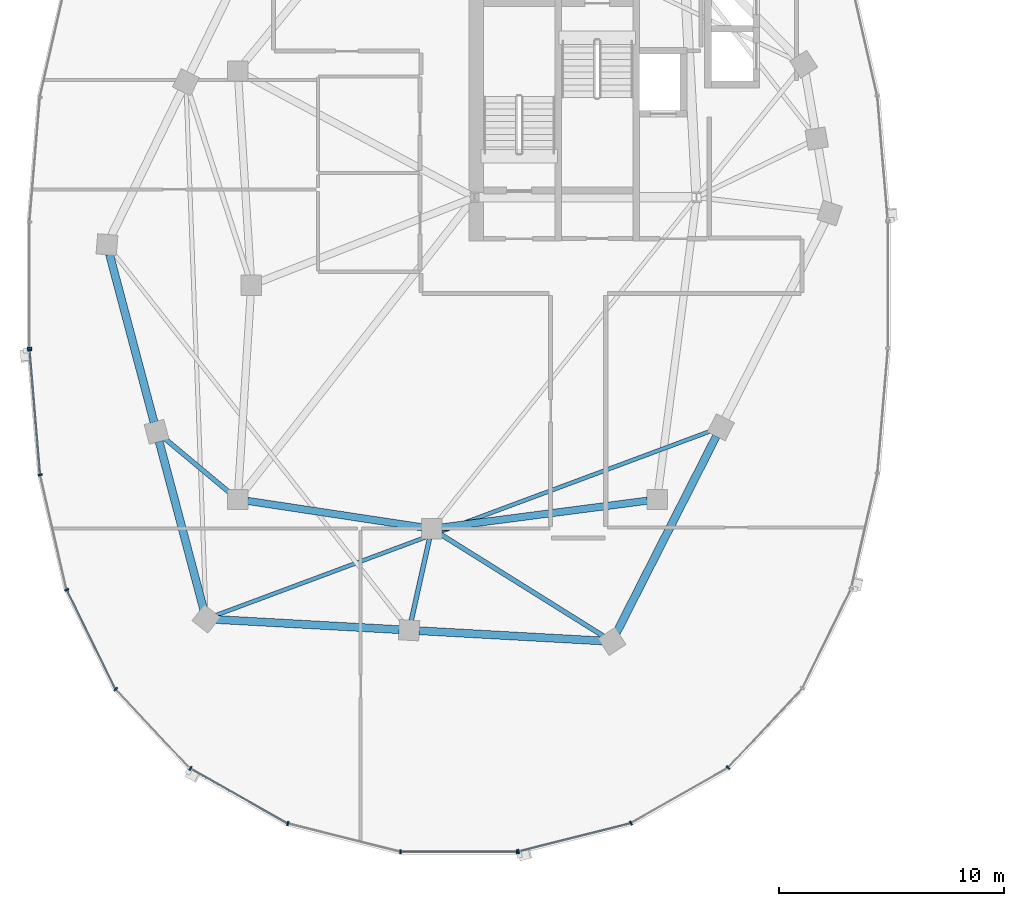
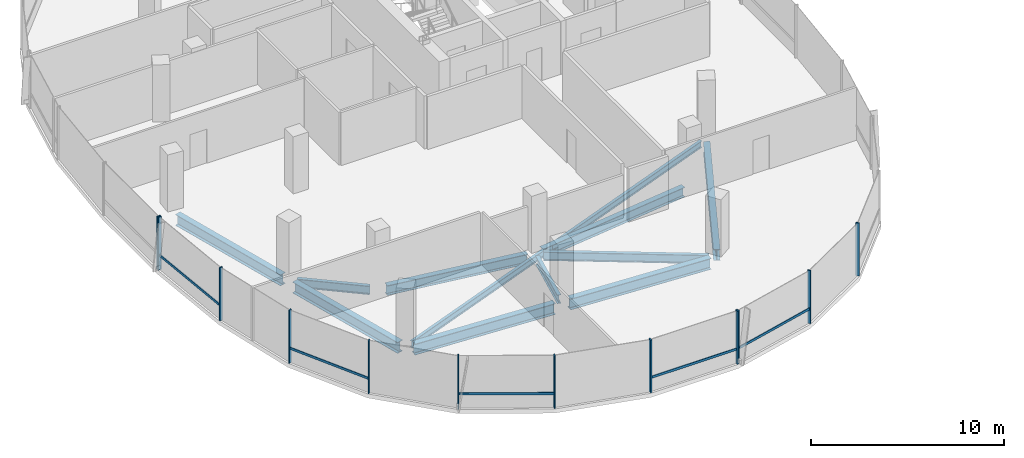
# One storey, part 3 of 25: 17 members, 11 beams, 3 elements without a shape of their own.
"""IFC4 building model written with IfcOpenShell, lengths in metres."""

from ifc_helpers import new_model, si_unit, direction, frame, origin, origin_2d, place, context, subcontext, project, spatial, rectangle, i_section, extrude, material, material_profile, profile_set, type_object, element, aggregate, save


model = new_model("IFC4")

# Units and contexts
model_context = context("Model", 3, precision=1e-05, world=origin(), true_north=direction((0.0, 1.0)))
body_context = subcontext(model_context, "Body", "Model", "MODEL_VIEW")
ifc_project = project(units=[si_unit("LENGTHUNIT", "METRE"), si_unit("AREAUNIT", "SQUARE_METRE"), si_unit("VOLUMEUNIT", "CUBIC_METRE"), si_unit("PLANEANGLEUNIT", "RADIAN"), si_unit("MASSUNIT", "GRAM", prefix="KILO"), si_unit("THERMODYNAMICTEMPERATUREUNIT", "KELVIN"), si_unit("POWERUNIT", "WATT")], contexts=[model_context])

# Site, building, storey
site_placement = place(None, origin())
site = spatial("IfcSite", under=ifc_project, at=site_placement, CompositionType="ELEMENT")
building_placement = place(site_placement, origin())
building = spatial("IfcBuilding", under=site, at=building_placement, Name="Cundina Bronze Exchange", CompositionType="ELEMENT")
storey_placement = place(building_placement, frame((0.0, 0.0, 217.0)))
storey = spatial("IfcBuildingStorey", under=building, at=storey_placement, Name="L57", CompositionType="ELEMENT", Elevation=217.0)

# Beams
ifc_material_1 = material(Name="Steel ASTM A992 Grade 50", Category="steel")
ifc_material_profile_1 = material_profile(ifc_material_1, i_section(OverallWidth=0.2119140625, OverallDepth=0.5439453125, WebThickness=0.01318359375, FlangeThickness=0.021240234375, FilletRadius=0.013916015625, at=origin_2d()), Name="W21X83", Category="steel")
ifc_profile_set_1 = profile_set([ifc_material_profile_1], Name="Steel ASTM A992 Grade 50")
beam_type_1 = type_object("IfcBeamType", Name="BM-FLR-W21A", PredefinedType="BEAM", material=ifc_profile_set_1)
beam_1_placement = place(storey_placement, frame((-42.136474609375, -9.219482421875, -0.531982421875), z_axis=(-0.768247540987, 0.640152884683, 0.0), x_axis=(-0.640152884683, -0.768247540987, 0.0)))
element("IfcBeam", 1, at=beam_1_placement, inside=storey, type_object=beam_type_1, Name="L57 Leg W Radial Floor Beam 09", PredefinedType="BEAM", context=body_context, shape_type="SweptSolid", body=[
    extrude(i_section(OverallWidth=0.2119140625, OverallDepth=0.5439453125, WebThickness=0.01318359375, FlangeThickness=0.021240234375, FilletRadius=0.013916015625, at=origin_2d()), origin(), (0.0, 0.0, 1.0), 3.81005859375),
])
beam_2_placement = place(storey_placement, frame((-33.294921875, -11.2275390625, -0.531982421875), z_axis=(-0.216958151571, -0.976180905605, 0.0), x_axis=(0.976180905605, -0.216958151571, 0.0)))
element("IfcBeam", 2, at=beam_2_placement, inside=storey, type_object=beam_type_1, Name="L57 Leg W Radial Floor Beam 11", PredefinedType="BEAM", context=body_context, shape_type="SweptSolid", body=[
    extrude(i_section(OverallWidth=0.2119140625, OverallDepth=0.5439453125, WebThickness=0.01318359375, FlangeThickness=0.021240234375, FilletRadius=0.013916015625, at=origin_2d()), origin(), (0.0, 0.0, 1.0), 3.733642578125),
])
beam_3_placement = place(storey_placement, frame((-32.82861328125, -11.031982421875, -0.531982421875), z_axis=(0.847995098703, -0.530004068452, 0.0), x_axis=(0.530004068452, 0.847995098703, 0.0)))
element("IfcBeam", 3, at=beam_3_placement, inside=storey, type_object=beam_type_1, Name="L57 Leg W Radial Floor Beam 12", PredefinedType="BEAM", context=body_context, shape_type="SweptSolid", body=[
    extrude(i_section(OverallWidth=0.2119140625, OverallDepth=0.5439453125, WebThickness=0.01318359375, FlangeThickness=0.021240234375, FilletRadius=0.013916015625, at=origin_2d()), origin(), (0.0, 0.0, 1.0), 8.55810546875),
])
ifc_material_profile_2 = material_profile(ifc_material_1, i_section(OverallWidth=0.178955078125, OverallDepth=0.409912109375, WebThickness=0.0087890625, FlangeThickness=0.014404296875, FilletRadius=0.010986328125, at=origin_2d()), Name="W16X45", Category="steel")
ifc_profile_set_2 = profile_set([ifc_material_profile_2], Name="Steel ASTM A992 Grade 50")
beam_type_2 = type_object("IfcBeamType", Name="BM-JST-W16", PredefinedType="JOIST", material=ifc_profile_set_2)
beam_4_placement = place(storey_placement, frame((-42.78955078125, -14.647216796875, -0.465087890625), z_axis=(0.937127927239, 0.348986028358, 0.0), x_axis=(-0.348986028358, 0.937127927239, 0.0)))
element("IfcBeam", 4, at=beam_4_placement, inside=storey, type_object=beam_type_2, Name="L57 Leg W Lobe Floor Joist 10-13", PredefinedType="JOIST", context=body_context, shape_type="SweptSolid", body=[
    extrude(i_section(OverallWidth=0.178955078125, OverallDepth=0.409912109375, WebThickness=0.0087890625, FlangeThickness=0.014404296875, FilletRadius=0.010986328125, at=origin_2d()), origin(), (0.0, 0.0, 1.0), 23.48046875),
])
ifc_material_profile_3 = material_profile(ifc_material_1, i_section(OverallWidth=0.324951171875, OverallDepth=0.615966796875, WebThickness=0.013916015625, FlangeThickness=0.021484375, FilletRadius=0.01611328125, at=origin_2d()), Name="W24X117", Category="steel")
ifc_profile_set_3 = profile_set([ifc_material_profile_3], Name="Steel ASTM A992 Grade 50")
beam_type_3 = type_object("IfcBeamType", Name="BM-RING-W24", PredefinedType="USERDEFINED", material=ifc_profile_set_3)
beam_5_placement = place(storey_placement, frame((-41.366943359375, -9.5654296875, -0.568115234375), z_axis=(0.988764903598, -0.149478979839, 0.0), x_axis=(0.149478979839, 0.988764903598, 0.0)))
element("IfcBeam", 5, at=beam_5_placement, inside=storey, type_object=beam_type_3, Name="L57 W Inner Structural Ring Girder 05", ObjectType="GIRDER", PredefinedType="USERDEFINED", context=body_context, shape_type="SweptSolid", body=[
    extrude(i_section(OverallWidth=0.324951171875, OverallDepth=0.615966796875, WebThickness=0.013916015625, FlangeThickness=0.021484375, FilletRadius=0.01611328125, at=origin_2d()), origin(), (0.0, 0.0, 1.0), 7.82177734375),
])
beam_6_placement = place(storey_placement, frame((-32.765625, -10.743408203125, -0.568115234375), z_axis=(0.991656498582, 0.128908451316, 0.0), x_axis=(-0.128908451316, 0.991656498582, 0.0)))
element("IfcBeam", 6, at=beam_6_placement, inside=storey, type_object=beam_type_3, Name="L57 W Inner Structural Ring Girder 06", ObjectType="GIRDER", PredefinedType="USERDEFINED", context=body_context, shape_type="SweptSolid", body=[
    extrude(i_section(OverallWidth=0.324951171875, OverallDepth=0.615966796875, WebThickness=0.013916015625, FlangeThickness=0.021484375, FilletRadius=0.01611328125, at=origin_2d()), origin(), (0.0, 0.0, 1.0), 9.208251953125),
])
ifc_material_profile_4 = material_profile(ifc_material_1, i_section(OverallWidth=0.35498046875, OverallDepth=0.695068359375, WebThickness=0.015380859375, FlangeThickness=0.02490234375, FilletRadius=0.01806640625, at=origin_2d()), Name="W27X146", Category="steel")
ifc_profile_set_4 = profile_set([ifc_material_profile_4], Name="Steel ASTM A992 Grade 50")
beam_type_4 = type_object("IfcBeamType", Name="BM-RING-W27", PredefinedType="USERDEFINED", material=ifc_profile_set_4)
for number, where, z_axis, x_axis, name in (
    (7, (-47.48779296875, 1.376708984375, -0.607421875), (0.256211934474, -0.966620631185, 0.0), (0.966620631185, 0.256211934474, 0.0), "L57 W Perimeter Ring Girder 08"),
    (8, (-45.287841796875, -6.92333984375, -0.607421875), (0.256211934474, -0.966620631185, 0.0), (0.966620631185, 0.256211934474, 0.0), "L57 W Perimeter Ring Girder 09"),
):
    element("IfcBeam", number, at=place(storey_placement, frame(where, z_axis=z_axis, x_axis=x_axis)), inside=storey, type_object=beam_type_4, Name=name, ObjectType="GIRDER", PredefinedType="USERDEFINED", context=body_context, shape_type="SweptSolid", body=[
        extrude(i_section(OverallWidth=0.35498046875, OverallDepth=0.695068359375, WebThickness=0.015380859375, FlangeThickness=0.02490234375, FilletRadius=0.01806640625, at=origin_2d()), origin(), (0.0, 0.0, 1.0), 7.710693359375),
    ])
for number, where, z_axis, x_axis, name in (
    (9, (-42.7626953125, -14.82421875, -0.607421875), (0.998460353205, -0.055470019623, 0.0), (0.055470019623, 0.998460353205, 0.0), "L57 W Perimeter Ring Girder 10"),
    (10, (-33.7626953125, -15.32421875, -0.607421875), (0.998460353205, -0.055470019623, 0.0), (0.055470019623, 0.998460353205, 0.0), "L57 W Perimeter Ring Girder 11"),
):
    element("IfcBeam", number, at=place(storey_placement, frame(where, z_axis=z_axis, x_axis=x_axis)), inside=storey, type_object=beam_type_4, Name=name, ObjectType="GIRDER", PredefinedType="USERDEFINED", context=body_context, shape_type="SweptSolid", body=[
        extrude(i_section(OverallWidth=0.35498046875, OverallDepth=0.695068359375, WebThickness=0.015380859375, FlangeThickness=0.02490234375, FilletRadius=0.01806640625, at=origin_2d()), origin(), (0.0, 0.0, 1.0), 8.137939453125),
    ])
beam_7_placement = place(storey_placement, frame((-25.001708984375, -15.409423828125, -0.607421875), z_axis=(0.452846871434, 0.891588308039, 0.0), x_axis=(-0.891588308039, 0.452846871434, 0.0)))
element("IfcBeam", 11, at=beam_7_placement, inside=storey, type_object=beam_type_4, Name="L57 W Perimeter Ring Girder 12", ObjectType="GIRDER", PredefinedType="USERDEFINED", context=body_context, shape_type="SweptSolid", body=[
    extrude(i_section(OverallWidth=0.35498046875, OverallDepth=0.695068359375, WebThickness=0.015380859375, FlangeThickness=0.02490234375, FilletRadius=0.01806640625, at=origin_2d()), origin(), (0.0, 0.0, 1.0), 9.779052734375),
])

# Curtain wall, member
ifc_material_2 = material(Name="Anodised Bronze Aluminium 6063-T6", Category="aluminium")
curtain_wall_type = type_object("IfcCurtainWallType", Name="CWS-UPP-OFF", PredefinedType="NOTDEFINED", material=ifc_material_2)
curtain_wall_1_placement = place(storey_placement, origin())
curtain_wall_1 = element("IfcCurtainWall", 12, at=curtain_wall_1_placement, inside=storey, type_object=curtain_wall_type, Name="L57 CW-05 Curtain Wall Run CWR-L57-W2", PredefinedType="NOTDEFINED")
ifc_material_profile_5 = material_profile(ifc_material_2, rectangle(XDim=0.070068359375, YDim=0.18994140625, at=origin_2d()), Name="AL70X190", Category="aluminium")
ifc_profile_set_5 = profile_set([ifc_material_profile_5], Name="Anodised Bronze Aluminium 6063-T6")
member_type_1 = type_object("IfcMemberType", Name="CWM-MUL-190", PredefinedType="MULLION", material=ifc_profile_set_5)
member_1_placement = place(storey_placement, frame((-51.033935546875, -2.794921875, 0.0), z_axis=(0.0, 0.0, 1.0), x_axis=(0.0, -1.0, 0.0)))
member_1 = element("IfcMember", 13, at=member_1_placement, type_object=member_type_1, Name="CW-05 End Mullion", PredefinedType="MULLION", context=body_context, shape_type="SweptSolid", body=[
    extrude(rectangle(XDim=0.070068359375, YDim=0.18994140625, at=origin_2d()), origin(), (0.0, 0.0, 1.0), 3.340087890625),
])
aggregate(curtain_wall_1, [member_1])

# Curtain wall, members
curtain_wall_2_placement = place(storey_placement, origin())
curtain_wall_2 = element("IfcCurtainWall", 14, at=curtain_wall_2_placement, inside=storey, type_object=curtain_wall_type, Name="L57 CW-05 Curtain Wall Run CWR-L57-W3", PredefinedType="NOTDEFINED")
member_2_placement = place(storey_placement, frame((-51.0302734375, -2.88330078125, 0.0), z_axis=(0.0, 0.0, 1.0), x_axis=(0.083677843332, -0.99649285925, 0.0)))
member_2 = element("IfcMember", 15, at=member_2_placement, type_object=member_type_1, Name="CW-05 Mullion 1", PredefinedType="MULLION", context=body_context, shape_type="SweptSolid", body=[
    extrude(rectangle(XDim=0.070068359375, YDim=0.18994140625, at=origin_2d()), origin(), (0.0, 0.0, 1.0), 3.340087890625),
])
member_3_placement = place(storey_placement, frame((-50.56005859375, -8.4111328125, 0.0), z_axis=(0.0, 0.0, 1.0), x_axis=(0.223250116011, -0.974761194191, 0.0)))
member_3 = element("IfcMember", 16, at=member_3_placement, type_object=member_type_1, Name="CW-05 Mullion 2", PredefinedType="MULLION", context=body_context, shape_type="SweptSolid", body=[
    extrude(rectangle(XDim=0.070068359375, YDim=0.18994140625, at=origin_2d()), origin(), (0.0, 0.0, 1.0), 3.340087890625),
])
member_4_placement = place(storey_placement, frame((-49.38427734375, -13.50732421875, 0.0), z_axis=(0.0, 0.0, 1.0), x_axis=(0.440566004113, -0.897720221461, 0.0)))
member_4 = element("IfcMember", 17, at=member_4_placement, type_object=member_type_1, Name="CW-05 Mullion 3", PredefinedType="MULLION", context=body_context, shape_type="SweptSolid", body=[
    extrude(rectangle(XDim=0.070068359375, YDim=0.18994140625, at=origin_2d()), origin(), (0.0, 0.0, 1.0), 3.340087890625),
])
member_5_placement = place(storey_placement, frame((-47.209716796875, -17.91796875, 0.0), z_axis=(0.0, 0.0, 1.0), x_axis=(0.684292606175, -0.729207535023, 0.0)))
member_5 = element("IfcMember", 18, at=member_5_placement, type_object=member_type_1, Name="CW-05 Mullion 4", PredefinedType="MULLION", context=body_context, shape_type="SweptSolid", body=[
    extrude(rectangle(XDim=0.070068359375, YDim=0.18994140625, at=origin_2d()), origin(), (0.0, 0.0, 1.0), 3.340087890625),
])
member_6_placement = place(storey_placement, frame((-43.899658203125, -21.43115234375, 0.0), z_axis=(0.0, 0.0, 1.0), x_axis=(0.86958112538, -0.493790103568, 0.0)))
member_6 = element("IfcMember", 19, at=member_6_placement, type_object=member_type_1, Name="CW-05 Mullion 5", PredefinedType="MULLION", context=body_context, shape_type="SweptSolid", body=[
    extrude(rectangle(XDim=0.070068359375, YDim=0.18994140625, at=origin_2d()), origin(), (0.0, 0.0, 1.0), 3.340087890625),
])
member_7_placement = place(storey_placement, frame((-39.577392578125, -23.87548828125, 0.0), z_axis=(0.0, 0.0, 1.0), x_axis=(0.969744325821, -0.244122802168, 0.0)))
member_7 = element("IfcMember", 20, at=member_7_placement, type_object=member_type_1, Name="CW-05 Mullion 6", PredefinedType="MULLION", context=body_context, shape_type="SweptSolid", body=[
    extrude(rectangle(XDim=0.070068359375, YDim=0.18994140625, at=origin_2d()), origin(), (0.0, 0.0, 1.0), 3.340087890625),
])
member_8_placement = place(storey_placement, frame((-34.580078125, -25.125, 0.0), z_axis=(0.0, 0.0, 1.0), x_axis=(1.0, 0.0, 0.0)))
member_8 = element("IfcMember", 21, at=member_8_placement, type_object=member_type_1, Name="CW-05 Mullion 7", PredefinedType="MULLION", context=body_context, shape_type="SweptSolid", body=[
    extrude(rectangle(XDim=0.070068359375, YDim=0.18994140625, at=origin_2d()), origin(), (0.0, 0.0, 1.0), 3.340087890625),
])
member_9_placement = place(storey_placement, frame((-29.419921875, -25.125, 0.0), z_axis=(0.0, 0.0, 1.0), x_axis=(1.0, 0.0, 0.0)))
member_9 = element("IfcMember", 22, at=member_9_placement, type_object=member_type_1, Name="CW-05 End Mullion", PredefinedType="MULLION", context=body_context, shape_type="SweptSolid", body=[
    extrude(rectangle(XDim=0.070068359375, YDim=0.18994140625, at=origin_2d()), origin(), (0.0, 0.0, 1.0), 3.340087890625),
])

curtain_wall_3_placement = place(storey_placement, origin())
curtain_wall_3 = element("IfcCurtainWall", 23, at=curtain_wall_3_placement, inside=storey, type_object=curtain_wall_type, Name="L57 CW-05 Curtain Wall Run CWR-L57-W4", PredefinedType="NOTDEFINED")
member_10_placement = place(storey_placement, frame((-29.3515625, -25.116455078125, 0.0), z_axis=(0.0, 0.0, 1.0), x_axis=(0.969744325821, 0.244122802168, 0.0)))
member_10 = element("IfcMember", 24, at=member_10_placement, type_object=member_type_1, Name="CW-05 Mullion 1", PredefinedType="MULLION", context=body_context, shape_type="SweptSolid", body=[
    extrude(rectangle(XDim=0.070068359375, YDim=0.18994140625, at=origin_2d()), origin(), (0.0, 0.0, 1.0), 3.340087890625),
])
member_11_placement = place(storey_placement, frame((-24.361083984375, -23.850830078125, 0.0), z_axis=(0.0, 0.0, 1.0), x_axis=(0.86958112538, 0.493790103568, 0.0)))
member_11 = element("IfcMember", 25, at=member_11_placement, type_object=member_type_1, Name="CW-05 Mullion 2", PredefinedType="MULLION", context=body_context, shape_type="SweptSolid", body=[
    extrude(rectangle(XDim=0.070068359375, YDim=0.18994140625, at=origin_2d()), origin(), (0.0, 0.0, 1.0), 3.340087890625),
])
member_12_placement = place(storey_placement, frame((-20.05126953125, -21.392578125, 0.0), z_axis=(0.0, 0.0, 1.0), x_axis=(0.684292606175, 0.729207535023, 0.0)))
member_12 = element("IfcMember", 26, at=member_12_placement, type_object=member_type_1, Name="CW-05 Mullion 3", PredefinedType="MULLION", context=body_context, shape_type="SweptSolid", body=[
    extrude(rectangle(XDim=0.070068359375, YDim=0.18994140625, at=origin_2d()), origin(), (0.0, 0.0, 1.0), 3.340087890625),
])

# Member
ifc_material_profile_6 = material_profile(ifc_material_2, rectangle(XDim=0.06494140625, YDim=0.14990234375, at=origin_2d()), Name="AL65X150", Category="aluminium")
ifc_profile_set_6 = profile_set([ifc_material_profile_6], Name="Anodised Bronze Aluminium 6063-T6")
member_type_2 = type_object("IfcMemberType", Name="CWM-TRN-150", PredefinedType="USERDEFINED", material=ifc_profile_set_6)
member_13_placement = place(storey_placement, frame((-51.027099609375, -2.921630859375, 0.919921875), z_axis=(0.083740331158, -0.996487610027, 0.0), x_axis=(0.996487610027, 0.083740331158, 0.0)))
member_13 = element("IfcMember", 27, at=member_13_placement, type_object=member_type_2, Name="CW-05 Spandrel Transom 1", ObjectType="TRANSOM", PredefinedType="USERDEFINED", context=body_context, shape_type="SweptSolid", body=[
    extrude(rectangle(XDim=0.06494140625, YDim=0.14990234375, at=origin_2d()), origin(), (0.0, 0.0, 1.0), 5.466552734375),
])

member_14_placement = place(storey_placement, frame((-49.3671875, -13.5419921875, 0.919921875), z_axis=(0.440483110889, -0.897760897467, 0.0), x_axis=(0.897760897467, 0.440483110889, 0.0)))
member_14 = element("IfcMember", 28, at=member_14_placement, type_object=member_type_2, Name="CW-05 Spandrel Transom 3", ObjectType="TRANSOM", PredefinedType="USERDEFINED", context=body_context, shape_type="SweptSolid", body=[
    extrude(rectangle(XDim=0.06494140625, YDim=0.14990234375, at=origin_2d()), origin(), (0.0, 0.0, 1.0), 4.855224609375),
])

member_15_placement = place(storey_placement, frame((-43.8662109375, -21.4501953125, 0.919921875), z_axis=(0.869573748083, -0.493803095013, 0.0), x_axis=(0.493803095013, 0.869573748083, 0.0)))
member_15 = element("IfcMember", 29, at=member_15_placement, type_object=member_type_2, Name="CW-05 Spandrel Transom 5", ObjectType="TRANSOM", PredefinedType="USERDEFINED", context=body_context, shape_type="SweptSolid", body=[
    extrude(rectangle(XDim=0.06494140625, YDim=0.14990234375, at=origin_2d()), origin(), (0.0, 0.0, 1.0), 4.900146484375),
])

member_16_placement = place(storey_placement, frame((-34.54150390625, -25.125, 0.919921875), z_axis=(1.0, 0.0, 0.0), x_axis=(0.0, 1.0, 0.0)))
member_16 = element("IfcMember", 30, at=member_16_placement, type_object=member_type_2, Name="CW-05 Spandrel Transom 7", ObjectType="TRANSOM", PredefinedType="USERDEFINED", context=body_context, shape_type="SweptSolid", body=[
    extrude(rectangle(XDim=0.06494140625, YDim=0.14990234375, at=origin_2d()), origin(), (0.0, 0.0, 1.0), 5.0830078125),
])

aggregate(curtain_wall_2, [member_2, member_13, member_3, member_4, member_14, member_5, member_6, member_15, member_7, member_8, member_9, member_16])

member_17_placement = place(storey_placement, frame((-29.314208984375, -25.107177734375, 0.919921875), z_axis=(0.969725738797, 0.244196624699, 0.0), x_axis=(-0.244196624699, 0.969725738797, 0.0)))
member_17 = element("IfcMember", 31, at=member_17_placement, type_object=member_type_2, Name="CW-05 Spandrel Transom 1", ObjectType="TRANSOM", PredefinedType="USERDEFINED", context=body_context, shape_type="SweptSolid", body=[
    extrude(rectangle(XDim=0.06494140625, YDim=0.14990234375, at=origin_2d()), origin(), (0.0, 0.0, 1.0), 5.082763671875),
])

aggregate(curtain_wall_3, [member_10, member_17, member_11, member_12])

save(model, "model.ifc")
